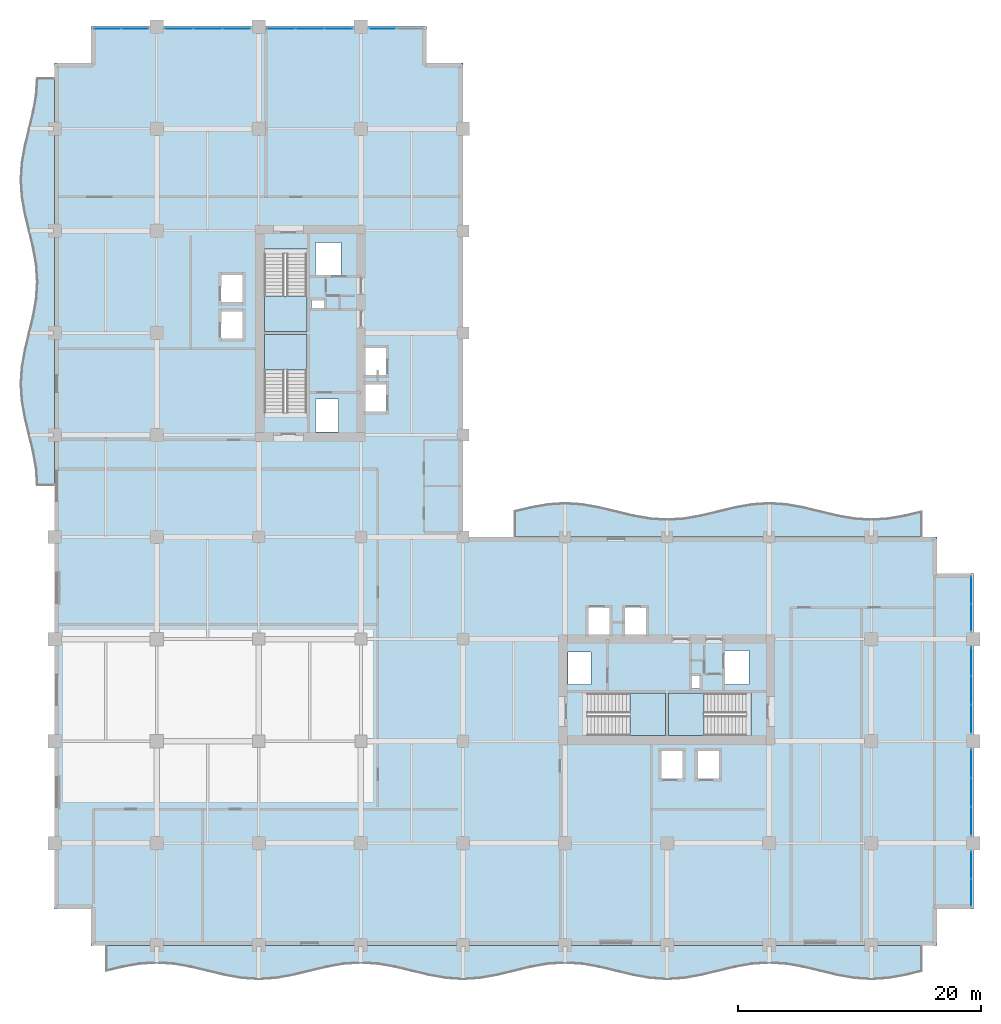
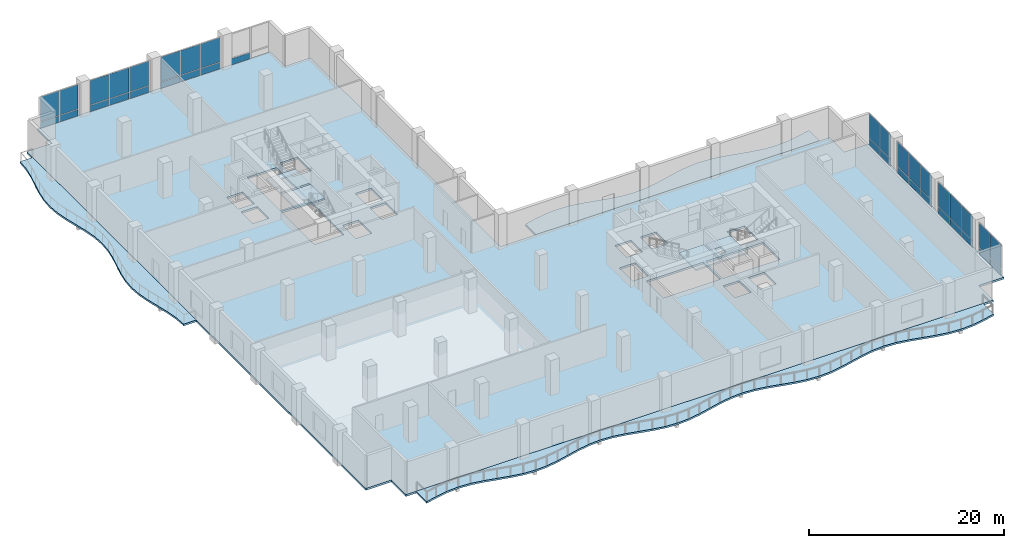
# One storey, part 12 of 25: 37 plates, 8 slabs, 12 elements without a shape of their own.
"""IFC4 building model written with IfcOpenShell, lengths in metres."""

from ifc_helpers import new_model, si_unit, direction, frame, origin, origin_2d, place, context, subcontext, project, spatial, polyline, rectangle, outline, extrude, material, layer, layer_set, type_object, element, aggregate, save


model = new_model("IFC4")

# Units and contexts
model_context = context("Model", 3, precision=1e-05, world=origin(), true_north=direction((0.0, 1.0)))
body_context = subcontext(model_context, "Body", "Model", "MODEL_VIEW")
ifc_project = project(units=[si_unit("LENGTHUNIT", "METRE"), si_unit("AREAUNIT", "SQUARE_METRE"), si_unit("VOLUMEUNIT", "CUBIC_METRE"), si_unit("PLANEANGLEUNIT", "RADIAN"), si_unit("MASSUNIT", "GRAM", prefix="KILO")], contexts=[model_context])

# Site, building, storey
site_placement = place(None, origin())
site = spatial("IfcSite", under=ifc_project, at=site_placement, CompositionType="ELEMENT")
building_placement = place(site_placement, origin())
building = spatial("IfcBuilding", under=site, at=building_placement, Name="Koriwani Terraces Tower", CompositionType="ELEMENT")
storey_placement = place(building_placement, frame((0.0, 0.0, 157.60009765625)))
storey = spatial("IfcBuildingStorey", under=building, at=storey_placement, Name="L38", CompositionType="ELEMENT", Elevation=157.60009765625)

# Curtain wall, plates
ifc_material_1 = material(Name="Anodised Bronze Aluminium", Category="aluminium")
ifc_layer_1 = layer(ifc_material_1, 0.169921875, Name="Anodised Bronze Aluminium")
ifc_layer_set_1 = layer_set([ifc_layer_1], Name="Anodised Bronze Aluminium")
curtain_wall_type = type_object("IfcCurtainWallType", Name="CW_RES_ZONE3", PredefinedType="NOTDEFINED", material=ifc_layer_set_1)
curtain_wall_1_placement = place(storey_placement, origin())
curtain_wall_1 = element("IfcCurtainWall", 1, at=curtain_wall_1_placement, inside=storey, type_object=curtain_wall_type, Name="L38 Unitised Curtain Wall (N_TIP) Bay 1", PredefinedType="NOTDEFINED")
ifc_material_2 = material(Name="Tempered Laminated Low-E Glass", Category="glass")
ifc_layer_2 = layer(ifc_material_2, 0.028076171875, Name="Tempered Laminated Low-E Glass")
ifc_layer_set_2 = layer_set([ifc_layer_2], Name="Tempered Laminated Low-E Glass")
plate_type = type_object("IfcPlateType", Name="CW_PANEL_VISION_28", PredefinedType="CURTAIN_PANEL", material=ifc_layer_set_2)
plate_1_placement = place(storey_placement, frame((4.347412109375, 75.425048828125, 0.06494140625), z_axis=(0.0, 0.0, 1.0), x_axis=(1.0, 0.0, 0.0)))
plate_1 = element("IfcPlate", 2, at=plate_1_placement, type_object=plate_type, Name="CW-Z3 panel 1.1", PredefinedType="CURTAIN_PANEL", context=body_context, shape_type="SweptSolid", body=[
    extrude(rectangle(XDim=2.195068359375, YDim=0.028076171875, at=origin_2d()), origin(), (0.0, 0.0, 1.0), 0.802490234375),
])
plate_2_placement = place(storey_placement, frame((4.347412109375, 75.425048828125, 0.9326171875), z_axis=(0.0, 0.0, 1.0), x_axis=(1.0, 0.0, 0.0)))
plate_2 = element("IfcPlate", 3, at=plate_2_placement, type_object=plate_type, Name="CW-Z3 panel 1.2", PredefinedType="CURTAIN_PANEL", context=body_context, shape_type="SweptSolid", body=[
    extrude(rectangle(XDim=2.195068359375, YDim=0.028076171875, at=origin_2d()), origin(), (0.0, 0.0, 1.0), 3.052490234375),
])
plate_3_placement = place(storey_placement, frame((6.617431640625, 75.425048828125, 0.06494140625), z_axis=(0.0, 0.0, 1.0), x_axis=(1.0, 0.0, 0.0)))
plate_3 = element("IfcPlate", 4, at=plate_3_placement, type_object=plate_type, Name="CW-Z3 panel 2.1", PredefinedType="CURTAIN_PANEL", context=body_context, shape_type="SweptSolid", body=[
    extrude(rectangle(XDim=2.195068359375, YDim=0.028076171875, at=origin_2d()), origin(), (0.0, 0.0, 1.0), 0.802490234375),
])
plate_4_placement = place(storey_placement, frame((6.617431640625, 75.425048828125, 0.9326171875), z_axis=(0.0, 0.0, 1.0), x_axis=(1.0, 0.0, 0.0)))
plate_4 = element("IfcPlate", 5, at=plate_4_placement, type_object=plate_type, Name="CW-Z3 panel 2.2", PredefinedType="CURTAIN_PANEL", context=body_context, shape_type="SweptSolid", body=[
    extrude(rectangle(XDim=2.195068359375, YDim=0.028076171875, at=origin_2d()), origin(), (0.0, 0.0, 1.0), 3.052490234375),
])
aggregate(curtain_wall_1, [plate_1, plate_2, plate_3, plate_4])

curtain_wall_2_placement = place(storey_placement, origin())
curtain_wall_2 = element("IfcCurtainWall", 6, at=curtain_wall_2_placement, inside=storey, type_object=curtain_wall_type, Name="L38 Unitised Curtain Wall (N_TIP) Bay 2", PredefinedType="NOTDEFINED")
plate_5_placement = place(storey_placement, frame((10.225341796875, 75.425048828125, 0.06494140625), z_axis=(0.0, 0.0, 1.0), x_axis=(1.0, 0.0, 0.0)))
plate_5 = element("IfcPlate", 7, at=plate_5_placement, type_object=plate_type, Name="CW-Z3 panel 1.1", PredefinedType="CURTAIN_PANEL", context=body_context, shape_type="SweptSolid", body=[
    extrude(rectangle(XDim=2.28076171875, YDim=0.028076171875, at=origin_2d()), origin(), (0.0, 0.0, 1.0), 0.802490234375),
])
plate_6_placement = place(storey_placement, frame((10.225341796875, 75.425048828125, 0.9326171875), z_axis=(0.0, 0.0, 1.0), x_axis=(1.0, 0.0, 0.0)))
plate_6 = element("IfcPlate", 8, at=plate_6_placement, type_object=plate_type, Name="CW-Z3 panel 1.2", PredefinedType="CURTAIN_PANEL", context=body_context, shape_type="SweptSolid", body=[
    extrude(rectangle(XDim=2.28076171875, YDim=0.028076171875, at=origin_2d()), origin(), (0.0, 0.0, 1.0), 3.052490234375),
])
plate_7_placement = place(storey_placement, frame((12.60009765625, 75.425048828125, 0.06494140625), z_axis=(0.0, 0.0, 1.0), x_axis=(1.0, 0.0, 0.0)))
plate_7 = element("IfcPlate", 9, at=plate_7_placement, type_object=plate_type, Name="CW-Z3 panel 2.1", PredefinedType="CURTAIN_PANEL", context=body_context, shape_type="SweptSolid", body=[
    extrude(rectangle(XDim=2.318359375, YDim=0.028076171875, at=origin_2d()), origin(), (0.0, 0.0, 1.0), 0.802490234375),
])
plate_8_placement = place(storey_placement, frame((12.60009765625, 75.425048828125, 0.9326171875), z_axis=(0.0, 0.0, 1.0), x_axis=(1.0, 0.0, 0.0)))
plate_8 = element("IfcPlate", 10, at=plate_8_placement, type_object=plate_type, Name="CW-Z3 panel 2.2", PredefinedType="CURTAIN_PANEL", context=body_context, shape_type="SweptSolid", body=[
    extrude(rectangle(XDim=2.318359375, YDim=0.028076171875, at=origin_2d()), origin(), (0.0, 0.0, 1.0), 3.052490234375),
])
plate_9_placement = place(storey_placement, frame((14.974609375, 75.425048828125, 0.06494140625), z_axis=(0.0, 0.0, 1.0), x_axis=(1.0, 0.0, 0.0)))
plate_9 = element("IfcPlate", 11, at=plate_9_placement, type_object=plate_type, Name="CW-Z3 panel 3.1", PredefinedType="CURTAIN_PANEL", context=body_context, shape_type="SweptSolid", body=[
    extrude(rectangle(XDim=2.28076171875, YDim=0.028076171875, at=origin_2d()), origin(), (0.0, 0.0, 1.0), 0.802490234375),
])
plate_10_placement = place(storey_placement, frame((14.974609375, 75.425048828125, 0.9326171875), z_axis=(0.0, 0.0, 1.0), x_axis=(1.0, 0.0, 0.0)))
plate_10 = element("IfcPlate", 12, at=plate_10_placement, type_object=plate_type, Name="CW-Z3 panel 3.2", PredefinedType="CURTAIN_PANEL", context=body_context, shape_type="SweptSolid", body=[
    extrude(rectangle(XDim=2.28076171875, YDim=0.028076171875, at=origin_2d()), origin(), (0.0, 0.0, 1.0), 3.052490234375),
])
aggregate(curtain_wall_2, [plate_5, plate_6, plate_7, plate_8, plate_9, plate_10])

curtain_wall_3_placement = place(storey_placement, origin())
curtain_wall_3 = element("IfcCurtainWall", 13, at=curtain_wall_3_placement, inside=storey, type_object=curtain_wall_type, Name="L38 Unitised Curtain Wall (N_TIP) Bay 3", PredefinedType="NOTDEFINED")
plate_11_placement = place(storey_placement, frame((18.62548828125, 75.425048828125, 0.06494140625), z_axis=(0.0, 0.0, 1.0), x_axis=(1.0, 0.0, 0.0)))
plate_11 = element("IfcPlate", 14, at=plate_11_placement, type_object=plate_type, Name="CW-Z3 panel 1.1", PredefinedType="CURTAIN_PANEL", context=body_context, shape_type="SweptSolid", body=[
    extrude(rectangle(XDim=2.28076171875, YDim=0.028076171875, at=origin_2d()), origin(), (0.0, 0.0, 1.0), 0.802490234375),
])
plate_12_placement = place(storey_placement, frame((18.62548828125, 75.425048828125, 0.9326171875), z_axis=(0.0, 0.0, 1.0), x_axis=(1.0, 0.0, 0.0)))
plate_12 = element("IfcPlate", 15, at=plate_12_placement, type_object=plate_type, Name="CW-Z3 panel 1.2", PredefinedType="CURTAIN_PANEL", context=body_context, shape_type="SweptSolid", body=[
    extrude(rectangle(XDim=2.28076171875, YDim=0.028076171875, at=origin_2d()), origin(), (0.0, 0.0, 1.0), 3.052490234375),
])
plate_13_placement = place(storey_placement, frame((21.0, 75.425048828125, 0.06494140625), z_axis=(0.0, 0.0, 1.0), x_axis=(1.0, 0.0, 0.0)))
plate_13 = element("IfcPlate", 16, at=plate_13_placement, type_object=plate_type, Name="CW-Z3 panel 2.1", PredefinedType="CURTAIN_PANEL", context=body_context, shape_type="SweptSolid", body=[
    extrude(rectangle(XDim=2.318359375, YDim=0.028076171875, at=origin_2d()), origin(), (0.0, 0.0, 1.0), 0.802490234375),
])
plate_14_placement = place(storey_placement, frame((21.0, 75.425048828125, 0.9326171875), z_axis=(0.0, 0.0, 1.0), x_axis=(1.0, 0.0, 0.0)))
plate_14 = element("IfcPlate", 17, at=plate_14_placement, type_object=plate_type, Name="CW-Z3 panel 2.2", PredefinedType="CURTAIN_PANEL", context=body_context, shape_type="SweptSolid", body=[
    extrude(rectangle(XDim=2.318359375, YDim=0.028076171875, at=origin_2d()), origin(), (0.0, 0.0, 1.0), 3.052490234375),
])
plate_15_placement = place(storey_placement, frame((23.37451171875, 75.425048828125, 0.06494140625), z_axis=(0.0, 0.0, 1.0), x_axis=(1.0, 0.0, 0.0)))
plate_15 = element("IfcPlate", 18, at=plate_15_placement, type_object=plate_type, Name="CW-Z3 panel 3.1", PredefinedType="CURTAIN_PANEL", context=body_context, shape_type="SweptSolid", body=[
    extrude(rectangle(XDim=2.28076171875, YDim=0.028076171875, at=origin_2d()), origin(), (0.0, 0.0, 1.0), 0.802490234375),
])
plate_16_placement = place(storey_placement, frame((23.37451171875, 75.425048828125, 0.9326171875), z_axis=(0.0, 0.0, 1.0), x_axis=(1.0, 0.0, 0.0)))
plate_16 = element("IfcPlate", 19, at=plate_16_placement, type_object=plate_type, Name="CW-Z3 panel 3.2", PredefinedType="CURTAIN_PANEL", context=body_context, shape_type="SweptSolid", body=[
    extrude(rectangle(XDim=2.28076171875, YDim=0.028076171875, at=origin_2d()), origin(), (0.0, 0.0, 1.0), 3.052490234375),
])
aggregate(curtain_wall_3, [plate_11, plate_12, plate_13, plate_14, plate_15, plate_16])

# Curtain wall, plate
curtain_wall_4_placement = place(storey_placement, origin())
curtain_wall_4 = element("IfcCurtainWall", 20, at=curtain_wall_4_placement, inside=storey, type_object=curtain_wall_type, Name="L38 Unitised Curtain Wall (N_TIP) Bay 4", PredefinedType="NOTDEFINED")
plate_17_placement = place(storey_placement, frame((26.982421875, 75.425048828125, 0.06494140625), z_axis=(0.0, 0.0, 1.0), x_axis=(1.0, 0.0, 0.0)))
plate_17 = element("IfcPlate", 21, at=plate_17_placement, type_object=plate_type, Name="CW-Z3 panel 1.1", PredefinedType="CURTAIN_PANEL", context=body_context, shape_type="SweptSolid", body=[
    extrude(rectangle(XDim=2.195068359375, YDim=0.028076171875, at=origin_2d()), origin(), (0.0, 0.0, 1.0), 0.802490234375),
])
aggregate(curtain_wall_4, [plate_17])

# Curtain wall, plates
curtain_wall_5_placement = place(storey_placement, origin())
curtain_wall_5 = element("IfcCurtainWall", 22, at=curtain_wall_5_placement, inside=storey, type_object=curtain_wall_type, Name="L38 Unitised Curtain Wall (E_TIP) Bay 1", PredefinedType="NOTDEFINED")
plate_18_placement = place(storey_placement, frame((75.425048828125, 29.25244140625, 0.06494140625), z_axis=(0.0, 0.0, 1.0), x_axis=(0.0, -1.0, 0.0)))
plate_18 = element("IfcPlate", 23, at=plate_18_placement, type_object=plate_type, Name="CW-Z3 panel 1.1", PredefinedType="CURTAIN_PANEL", context=body_context, shape_type="SweptSolid", body=[
    extrude(rectangle(XDim=2.195068359375, YDim=0.028076171875, at=origin_2d()), origin(), (0.0, 0.0, 1.0), 0.802490234375),
])
plate_19_placement = place(storey_placement, frame((75.425048828125, 29.25244140625, 0.9326171875), z_axis=(0.0, 0.0, 1.0), x_axis=(0.0, -1.0, 0.0)))
plate_19 = element("IfcPlate", 24, at=plate_19_placement, type_object=plate_type, Name="CW-Z3 panel 1.2", PredefinedType="CURTAIN_PANEL", context=body_context, shape_type="SweptSolid", body=[
    extrude(rectangle(XDim=2.195068359375, YDim=0.028076171875, at=origin_2d()), origin(), (0.0, 0.0, 1.0), 3.052490234375),
])
plate_20_placement = place(storey_placement, frame((75.425048828125, 26.982421875, 0.06494140625), z_axis=(0.0, 0.0, 1.0), x_axis=(0.0, -1.0, 0.0)))
plate_20 = element("IfcPlate", 25, at=plate_20_placement, type_object=plate_type, Name="CW-Z3 panel 2.1", PredefinedType="CURTAIN_PANEL", context=body_context, shape_type="SweptSolid", body=[
    extrude(rectangle(XDim=2.195068359375, YDim=0.028076171875, at=origin_2d()), origin(), (0.0, 0.0, 1.0), 0.802490234375),
])
plate_21_placement = place(storey_placement, frame((75.425048828125, 26.982421875, 0.9326171875), z_axis=(0.0, 0.0, 1.0), x_axis=(0.0, -1.0, 0.0)))
plate_21 = element("IfcPlate", 26, at=plate_21_placement, type_object=plate_type, Name="CW-Z3 panel 2.2", PredefinedType="CURTAIN_PANEL", context=body_context, shape_type="SweptSolid", body=[
    extrude(rectangle(XDim=2.195068359375, YDim=0.028076171875, at=origin_2d()), origin(), (0.0, 0.0, 1.0), 3.052490234375),
])
aggregate(curtain_wall_5, [plate_18, plate_19, plate_20, plate_21])

curtain_wall_6_placement = place(storey_placement, origin())
curtain_wall_6 = element("IfcCurtainWall", 27, at=curtain_wall_6_placement, inside=storey, type_object=curtain_wall_type, Name="L38 Unitised Curtain Wall (E_TIP) Bay 2", PredefinedType="NOTDEFINED")
plate_22_placement = place(storey_placement, frame((75.425048828125, 23.37451171875, 0.06494140625), z_axis=(0.0, 0.0, 1.0), x_axis=(0.0, -1.0, 0.0)))
plate_22 = element("IfcPlate", 28, at=plate_22_placement, type_object=plate_type, Name="CW-Z3 panel 1.1", PredefinedType="CURTAIN_PANEL", context=body_context, shape_type="SweptSolid", body=[
    extrude(rectangle(XDim=2.28076171875, YDim=0.028076171875, at=origin_2d()), origin(), (0.0, 0.0, 1.0), 0.802490234375),
])
plate_23_placement = place(storey_placement, frame((75.425048828125, 23.37451171875, 0.9326171875), z_axis=(0.0, 0.0, 1.0), x_axis=(0.0, -1.0, 0.0)))
plate_23 = element("IfcPlate", 29, at=plate_23_placement, type_object=plate_type, Name="CW-Z3 panel 1.2", PredefinedType="CURTAIN_PANEL", context=body_context, shape_type="SweptSolid", body=[
    extrude(rectangle(XDim=2.28076171875, YDim=0.028076171875, at=origin_2d()), origin(), (0.0, 0.0, 1.0), 3.052490234375),
])
plate_24_placement = place(storey_placement, frame((75.425048828125, 21.0, 0.06494140625), z_axis=(0.0, 0.0, 1.0), x_axis=(0.0, -1.0, 0.0)))
plate_24 = element("IfcPlate", 30, at=plate_24_placement, type_object=plate_type, Name="CW-Z3 panel 2.1", PredefinedType="CURTAIN_PANEL", context=body_context, shape_type="SweptSolid", body=[
    extrude(rectangle(XDim=2.318359375, YDim=0.028076171875, at=origin_2d()), origin(), (0.0, 0.0, 1.0), 0.802490234375),
])
plate_25_placement = place(storey_placement, frame((75.425048828125, 21.0, 0.9326171875), z_axis=(0.0, 0.0, 1.0), x_axis=(0.0, -1.0, 0.0)))
plate_25 = element("IfcPlate", 31, at=plate_25_placement, type_object=plate_type, Name="CW-Z3 panel 2.2", PredefinedType="CURTAIN_PANEL", context=body_context, shape_type="SweptSolid", body=[
    extrude(rectangle(XDim=2.318359375, YDim=0.028076171875, at=origin_2d()), origin(), (0.0, 0.0, 1.0), 3.052490234375),
])
plate_26_placement = place(storey_placement, frame((75.425048828125, 18.62548828125, 0.06494140625), z_axis=(0.0, 0.0, 1.0), x_axis=(0.0, -1.0, 0.0)))
plate_26 = element("IfcPlate", 32, at=plate_26_placement, type_object=plate_type, Name="CW-Z3 panel 3.1", PredefinedType="CURTAIN_PANEL", context=body_context, shape_type="SweptSolid", body=[
    extrude(rectangle(XDim=2.28076171875, YDim=0.028076171875, at=origin_2d()), origin(), (0.0, 0.0, 1.0), 0.802490234375),
])
plate_27_placement = place(storey_placement, frame((75.425048828125, 18.62548828125, 0.9326171875), z_axis=(0.0, 0.0, 1.0), x_axis=(0.0, -1.0, 0.0)))
plate_27 = element("IfcPlate", 33, at=plate_27_placement, type_object=plate_type, Name="CW-Z3 panel 3.2", PredefinedType="CURTAIN_PANEL", context=body_context, shape_type="SweptSolid", body=[
    extrude(rectangle(XDim=2.28076171875, YDim=0.028076171875, at=origin_2d()), origin(), (0.0, 0.0, 1.0), 3.052490234375),
])
aggregate(curtain_wall_6, [plate_22, plate_23, plate_24, plate_25, plate_26, plate_27])

curtain_wall_7_placement = place(storey_placement, origin())
curtain_wall_7 = element("IfcCurtainWall", 34, at=curtain_wall_7_placement, inside=storey, type_object=curtain_wall_type, Name="L38 Unitised Curtain Wall (E_TIP) Bay 3", PredefinedType="NOTDEFINED")
plate_28_placement = place(storey_placement, frame((75.425048828125, 14.974609375, 0.06494140625), z_axis=(0.0, 0.0, 1.0), x_axis=(0.0, -1.0, 0.0)))
plate_28 = element("IfcPlate", 35, at=plate_28_placement, type_object=plate_type, Name="CW-Z3 panel 1.1", PredefinedType="CURTAIN_PANEL", context=body_context, shape_type="SweptSolid", body=[
    extrude(rectangle(XDim=2.28076171875, YDim=0.028076171875, at=origin_2d()), origin(), (0.0, 0.0, 1.0), 0.802490234375),
])
plate_29_placement = place(storey_placement, frame((75.425048828125, 14.974609375, 0.9326171875), z_axis=(0.0, 0.0, 1.0), x_axis=(0.0, -1.0, 0.0)))
plate_29 = element("IfcPlate", 36, at=plate_29_placement, type_object=plate_type, Name="CW-Z3 panel 1.2", PredefinedType="CURTAIN_PANEL", context=body_context, shape_type="SweptSolid", body=[
    extrude(rectangle(XDim=2.28076171875, YDim=0.028076171875, at=origin_2d()), origin(), (0.0, 0.0, 1.0), 3.052490234375),
])
plate_30_placement = place(storey_placement, frame((75.425048828125, 12.60009765625, 0.06494140625), z_axis=(0.0, 0.0, 1.0), x_axis=(0.0, -1.0, 0.0)))
plate_30 = element("IfcPlate", 37, at=plate_30_placement, type_object=plate_type, Name="CW-Z3 panel 2.1", PredefinedType="CURTAIN_PANEL", context=body_context, shape_type="SweptSolid", body=[
    extrude(rectangle(XDim=2.318359375, YDim=0.028076171875, at=origin_2d()), origin(), (0.0, 0.0, 1.0), 0.802490234375),
])
plate_31_placement = place(storey_placement, frame((75.425048828125, 12.60009765625, 0.9326171875), z_axis=(0.0, 0.0, 1.0), x_axis=(0.0, -1.0, 0.0)))
plate_31 = element("IfcPlate", 38, at=plate_31_placement, type_object=plate_type, Name="CW-Z3 panel 2.2", PredefinedType="CURTAIN_PANEL", context=body_context, shape_type="SweptSolid", body=[
    extrude(rectangle(XDim=2.318359375, YDim=0.028076171875, at=origin_2d()), origin(), (0.0, 0.0, 1.0), 3.052490234375),
])
plate_32_placement = place(storey_placement, frame((75.425048828125, 10.225341796875, 0.06494140625), z_axis=(0.0, 0.0, 1.0), x_axis=(0.0, -1.0, 0.0)))
plate_32 = element("IfcPlate", 39, at=plate_32_placement, type_object=plate_type, Name="CW-Z3 panel 3.1", PredefinedType="CURTAIN_PANEL", context=body_context, shape_type="SweptSolid", body=[
    extrude(rectangle(XDim=2.28076171875, YDim=0.028076171875, at=origin_2d()), origin(), (0.0, 0.0, 1.0), 0.802490234375),
])
plate_33_placement = place(storey_placement, frame((75.425048828125, 10.225341796875, 0.9326171875), z_axis=(0.0, 0.0, 1.0), x_axis=(0.0, -1.0, 0.0)))
plate_33 = element("IfcPlate", 40, at=plate_33_placement, type_object=plate_type, Name="CW-Z3 panel 3.2", PredefinedType="CURTAIN_PANEL", context=body_context, shape_type="SweptSolid", body=[
    extrude(rectangle(XDim=2.28076171875, YDim=0.028076171875, at=origin_2d()), origin(), (0.0, 0.0, 1.0), 3.052490234375),
])
aggregate(curtain_wall_7, [plate_28, plate_29, plate_30, plate_31, plate_32, plate_33])

curtain_wall_8_placement = place(storey_placement, origin())
curtain_wall_8 = element("IfcCurtainWall", 41, at=curtain_wall_8_placement, inside=storey, type_object=curtain_wall_type, Name="L38 Unitised Curtain Wall (E_TIP) Bay 4", PredefinedType="NOTDEFINED")
plate_34_placement = place(storey_placement, frame((75.425048828125, 6.617431640625, 0.06494140625), z_axis=(0.0, 0.0, 1.0), x_axis=(0.0, -1.0, 0.0)))
plate_34 = element("IfcPlate", 42, at=plate_34_placement, type_object=plate_type, Name="CW-Z3 panel 1.1", PredefinedType="CURTAIN_PANEL", context=body_context, shape_type="SweptSolid", body=[
    extrude(rectangle(XDim=2.195068359375, YDim=0.028076171875, at=origin_2d()), origin(), (0.0, 0.0, 1.0), 0.802490234375),
])
plate_35_placement = place(storey_placement, frame((75.425048828125, 6.617431640625, 0.9326171875), z_axis=(0.0, 0.0, 1.0), x_axis=(0.0, -1.0, 0.0)))
plate_35 = element("IfcPlate", 43, at=plate_35_placement, type_object=plate_type, Name="CW-Z3 panel 1.2", PredefinedType="CURTAIN_PANEL", context=body_context, shape_type="SweptSolid", body=[
    extrude(rectangle(XDim=2.195068359375, YDim=0.028076171875, at=origin_2d()), origin(), (0.0, 0.0, 1.0), 3.052490234375),
])
plate_36_placement = place(storey_placement, frame((75.425048828125, 4.347412109375, 0.06494140625), z_axis=(0.0, 0.0, 1.0), x_axis=(0.0, -1.0, 0.0)))
plate_36 = element("IfcPlate", 44, at=plate_36_placement, type_object=plate_type, Name="CW-Z3 panel 2.1", PredefinedType="CURTAIN_PANEL", context=body_context, shape_type="SweptSolid", body=[
    extrude(rectangle(XDim=2.195068359375, YDim=0.028076171875, at=origin_2d()), origin(), (0.0, 0.0, 1.0), 0.802490234375),
])
plate_37_placement = place(storey_placement, frame((75.425048828125, 4.347412109375, 0.9326171875), z_axis=(0.0, 0.0, 1.0), x_axis=(0.0, -1.0, 0.0)))
plate_37 = element("IfcPlate", 45, at=plate_37_placement, type_object=plate_type, Name="CW-Z3 panel 2.2", PredefinedType="CURTAIN_PANEL", context=body_context, shape_type="SweptSolid", body=[
    extrude(rectangle(XDim=2.195068359375, YDim=0.028076171875, at=origin_2d()), origin(), (0.0, 0.0, 1.0), 3.052490234375),
])
aggregate(curtain_wall_8, [plate_34, plate_35, plate_36, plate_37])

# Slabs
ifc_material_3 = material(Name="Concrete C40/50", Category="concrete")
ifc_layer_3 = layer(ifc_material_3, 0.219970703125, Name="Concrete C40/50")
ifc_layer_set_3 = layer_set([ifc_layer_3], Name="Concrete C40/50")
slab_type_1 = type_object("IfcSlabType", Name="SLAB_BALCONY_220", PredefinedType="FLOOR", material=ifc_layer_set_3)
slab_1_placement = place(storey_placement, frame((0.0, 0.0, -0.22021484375)))
element("IfcSlab", 46, at=slab_1_placement, inside=storey, type_object=slab_type_1, Name="L38 Quilted Circular-Arc Balcony (S)", PredefinedType="FLOOR", context=body_context, shape_type="SweptSolid", body=[
    extrude(outline(polyline([(4.199951171875, 0.0), (5.60009765625, 0.0), (7.0, 0.0), (8.39990234375, 0.0), (9.800048828125, 0.0), (11.199951171875, 0.0), (12.60009765625, 0.0), (14.0, 0.0), (15.39990234375, 0.0), (16.800048828125, 0.0), (18.199951171875, 0.0), (19.60009765625, 0.0), (21.0, 0.0), (22.39990234375, 0.0), (23.800048828125, 0.0), (25.199951171875, 0.0), (26.60009765625, 0.0), (28.0, 0.0), (29.39990234375, 0.0), (30.800048828125, 0.0), (32.199951171875, 0.0), (33.60009765625, 0.0), (35.0, 0.0), (36.39990234375, 0.0), (37.800048828125, 0.0), (39.199951171875, 0.0), (40.60009765625, 0.0), (42.0, 0.0), (43.39990234375, 0.0), (44.800048828125, 0.0), (46.199951171875, 0.0), (47.60009765625, 0.0), (49.0, 0.0), (50.39990234375, 0.0), (51.800048828125, 0.0), (53.199951171875, 0.0), (54.60009765625, 0.0), (56.0, 0.0), (57.39990234375, 0.0), (58.800048828125, 0.0), (60.199951171875, 0.0), (61.60009765625, 0.0), (63.0, 0.0), (64.39990234375, 0.0), (65.800048828125, 0.0), (67.199951171875, 0.0), (68.60009765625, 0.0), (70.0, 0.0), (71.39990234375, 0.0), (71.39990234375, -2.175048828125), (70.0, -2.512451171875), (68.60009765625, -2.759521484375), (67.199951171875, -2.85009765625), (65.800048828125, -2.759521484375), (64.39990234375, -2.512451171875), (63.0, -2.175048828125), (61.60009765625, -1.83740234375), (60.199951171875, -1.59033203125), (58.800048828125, -1.5), (57.39990234375, -1.59033203125), (56.0, -1.83740234375), (54.60009765625, -2.175048828125), (53.199951171875, -2.512451171875), (51.800048828125, -2.759521484375), (50.39990234375, -2.85009765625), (49.0, -2.759521484375), (47.60009765625, -2.512451171875), (46.199951171875, -2.175048828125), (44.800048828125, -1.83740234375), (43.39990234375, -1.59033203125), (42.0, -1.5), (40.60009765625, -1.59033203125), (39.199951171875, -1.83740234375), (37.800048828125, -2.175048828125), (36.39990234375, -2.512451171875), (35.0, -2.759521484375), (33.60009765625, -2.85009765625), (32.199951171875, -2.759521484375), (30.800048828125, -2.512451171875), (29.39990234375, -2.175048828125), (28.0, -1.83740234375), (26.60009765625, -1.59033203125), (25.199951171875, -1.5), (23.800048828125, -1.59033203125), (22.39990234375, -1.83740234375), (21.0, -2.175048828125), (19.60009765625, -2.512451171875), (18.199951171875, -2.759521484375), (16.800048828125, -2.85009765625), (15.39990234375, -2.759521484375), (14.0, -2.512451171875), (12.60009765625, -2.175048828125), (11.199951171875, -1.83740234375), (9.800048828125, -1.59033203125), (8.39990234375, -1.5), (7.0, -1.59033203125), (5.60009765625, -1.83740234375), (4.199951171875, -2.175048828125), (4.199951171875, 0.0)])), origin(), (0.0, 0.0, 1.0), 0.22021484375),
])
slab_2_placement = place(storey_placement, frame((0.0, 0.0, -0.22021484375)))
element("IfcSlab", 47, at=slab_2_placement, inside=storey, type_object=slab_type_1, Name="L38 Quilted Circular-Arc Balcony (W)", PredefinedType="FLOOR", context=body_context, shape_type="SweptSolid", body=[
    extrude(outline(polyline([(0.0, 37.800048828125), (0.0, 39.199951171875), (0.0, 40.60009765625), (0.0, 42.0), (0.0, 43.39990234375), (0.0, 44.800048828125), (0.0, 46.199951171875), (0.0, 47.60009765625), (0.0, 49.0), (0.0, 50.39990234375), (0.0, 51.800048828125), (0.0, 53.199951171875), (0.0, 54.60009765625), (0.0, 56.0), (0.0, 57.39990234375), (0.0, 58.800048828125), (0.0, 60.199951171875), (0.0, 61.60009765625), (0.0, 63.0), (0.0, 64.39990234375), (0.0, 65.800048828125), (0.0, 67.199951171875), (0.0, 68.60009765625), (0.0, 70.0), (0.0, 71.39990234375), (-1.5, 71.39990234375), (-1.59033203125, 70.0), (-1.83740234375, 68.60009765625), (-2.175048828125, 67.199951171875), (-2.512451171875, 65.800048828125), (-2.759521484375, 64.39990234375), (-2.85009765625, 63.0), (-2.759521484375, 61.60009765625), (-2.512451171875, 60.199951171875), (-2.175048828125, 58.800048828125), (-1.83740234375, 57.39990234375), (-1.59033203125, 56.0), (-1.5, 54.60009765625), (-1.59033203125, 53.199951171875), (-1.83740234375, 51.800048828125), (-2.175048828125, 50.39990234375), (-2.512451171875, 49.0), (-2.759521484375, 47.60009765625), (-2.85009765625, 46.199951171875), (-2.759521484375, 44.800048828125), (-2.512451171875, 43.39990234375), (-2.175048828125, 42.0), (-1.83740234375, 40.60009765625), (-1.59033203125, 39.199951171875), (-1.5, 37.800048828125), (0.0, 37.800048828125)])), origin(), (0.0, 0.0, 1.0), 0.22021484375),
])
slab_3_placement = place(storey_placement, frame((0.0, 0.0, -0.22021484375)))
element("IfcSlab", 48, at=slab_3_placement, inside=storey, type_object=slab_type_1, Name="L38 Quilted Circular-Arc Balcony (NE)", PredefinedType="FLOOR", context=body_context, shape_type="SweptSolid", body=[
    extrude(outline(polyline([(71.39990234375, 33.60009765625), (70.0, 33.60009765625), (68.60009765625, 33.60009765625), (67.199951171875, 33.60009765625), (65.800048828125, 33.60009765625), (64.39990234375, 33.60009765625), (63.0, 33.60009765625), (61.60009765625, 33.60009765625), (60.199951171875, 33.60009765625), (58.800048828125, 33.60009765625), (57.39990234375, 33.60009765625), (56.0, 33.60009765625), (54.60009765625, 33.60009765625), (53.199951171875, 33.60009765625), (51.800048828125, 33.60009765625), (50.39990234375, 33.60009765625), (49.0, 33.60009765625), (47.60009765625, 33.60009765625), (46.199951171875, 33.60009765625), (44.800048828125, 33.60009765625), (43.39990234375, 33.60009765625), (42.0, 33.60009765625), (40.60009765625, 33.60009765625), (39.199951171875, 33.60009765625), (37.800048828125, 33.60009765625), (37.800048828125, 35.77490234375), (39.199951171875, 36.112548828125), (40.60009765625, 36.359619140625), (42.0, 36.449951171875), (43.39990234375, 36.359619140625), (44.800048828125, 36.112548828125), (46.199951171875, 35.77490234375), (47.60009765625, 35.4375), (49.0, 35.1904296875), (50.39990234375, 35.10009765625), (51.800048828125, 35.1904296875), (53.199951171875, 35.4375), (54.60009765625, 35.77490234375), (56.0, 36.112548828125), (57.39990234375, 36.359619140625), (58.800048828125, 36.449951171875), (60.199951171875, 36.359619140625), (61.60009765625, 36.112548828125), (63.0, 35.77490234375), (64.39990234375, 35.4375), (65.800048828125, 35.1904296875), (67.199951171875, 35.10009765625), (68.60009765625, 35.1904296875), (70.0, 35.4375), (71.39990234375, 35.77490234375), (71.39990234375, 33.60009765625)])), origin(), (0.0, 0.0, 1.0), 0.22021484375),
])

# Stair, slab
stair_type = type_object("IfcStairType", Name="STAIR_CORE_DOGLEG_1650", PredefinedType="TWO_STRAIGHT_RUN_STAIR", material=ifc_material_3)
stair_1_placement = place(storey_placement, origin())
stair_1 = element("IfcStair", 49, at=stair_1_placement, inside=storey, type_object=stair_type, Name="L38 West Core Exit Stair 1", PredefinedType="HALF_TURN_STAIR")
ifc_layer_4 = layer(ifc_material_3, 0.199951171875, Name="Concrete C40/50")
ifc_layer_set_4 = layer_set([ifc_layer_4], Name="Concrete C40/50")
slab_type_2 = type_object("IfcSlabType", Name="SLAB_STAIR_LANDING_200", PredefinedType="LANDING", material=ifc_layer_set_4)
slab_4_placement = place(storey_placement, frame((0.0, 0.0, 2.0)))
slab_4 = element("IfcSlab", 50, at=slab_4_placement, type_object=slab_type_2, Name="ST-W1 landing 1", PredefinedType="LANDING", context=body_context, shape_type="SweptSolid", body=[
    extrude(outline(polyline([(20.75, 47.330078125), (20.75, 50.25), (17.25, 50.25), (17.25, 47.330078125), (20.75, 47.330078125)])), origin(), (0.0, 0.0, 1.0), 0.199951171875),
])
aggregate(stair_1, [slab_4])

stair_2_placement = place(storey_placement, origin())
stair_2 = element("IfcStair", 51, at=stair_2_placement, inside=storey, type_object=stair_type, Name="L38 West Core Exit Stair 2", PredefinedType="HALF_TURN_STAIR")
slab_5_placement = place(storey_placement, frame((0.0, 0.0, 2.0)))
slab_5 = element("IfcSlab", 52, at=slab_5_placement, type_object=slab_type_2, Name="ST-W2 landing 1", PredefinedType="LANDING", context=body_context, shape_type="SweptSolid", body=[
    extrude(outline(polyline([(17.25, 53.419921875), (17.25, 50.5), (20.75, 50.5), (20.75, 53.419921875), (17.25, 53.419921875)])), origin(), (0.0, 0.0, 1.0), 0.199951171875),
])
aggregate(stair_2, [slab_5])

stair_3_placement = place(storey_placement, origin())
stair_3 = element("IfcStair", 53, at=stair_3_placement, inside=storey, type_object=stair_type, Name="L38 East Core Exit Stair 1", PredefinedType="HALF_TURN_STAIR")
slab_6_placement = place(storey_placement, frame((0.0, 0.0, 2.0)))
slab_6 = element("IfcSlab", 54, at=slab_6_placement, type_object=slab_type_2, Name="ST-E1 landing 1", PredefinedType="LANDING", context=body_context, shape_type="SweptSolid", body=[
    extrude(outline(polyline([(47.330078125, 17.25), (50.25, 17.25), (50.25, 20.75), (47.330078125, 20.75), (47.330078125, 17.25)])), origin(), (0.0, 0.0, 1.0), 0.199951171875),
])
aggregate(stair_3, [slab_6])

stair_4_placement = place(storey_placement, origin())
stair_4 = element("IfcStair", 55, at=stair_4_placement, inside=storey, type_object=stair_type, Name="L38 East Core Exit Stair 2", PredefinedType="HALF_TURN_STAIR")
slab_7_placement = place(storey_placement, frame((0.0, 0.0, 2.0)))
slab_7 = element("IfcSlab", 56, at=slab_7_placement, type_object=slab_type_2, Name="ST-E2 landing 1", PredefinedType="LANDING", context=body_context, shape_type="SweptSolid", body=[
    extrude(outline(polyline([(53.419921875, 20.75), (50.5, 20.75), (50.5, 17.25), (53.419921875, 17.25), (53.419921875, 20.75)])), origin(), (0.0, 0.0, 1.0), 0.199951171875),
])
aggregate(stair_4, [slab_7])

# Slab
ifc_layer_5 = layer(ifc_material_3, 0.25, Name="Concrete C40/50")
ifc_layer_set_5 = layer_set([ifc_layer_5], Name="Concrete C40/50")
slab_type_3 = type_object("IfcSlabType", Name="SLAB_TOWER_TYP_250", PredefinedType="FLOOR", material=ifc_layer_set_5)
slab_8_placement = place(storey_placement, frame((0.0, 0.0, -0.25)))
element("IfcSlab", 57, at=slab_8_placement, inside=storey, type_object=slab_type_3, Name="L38 Structural Floor Slab", PredefinedType="FLOOR", context=body_context, shape_type="SweptSolid", body=[
    extrude(outline(polyline([(3.0, 0.0), (72.60009765625, 0.0), (72.60009765625, 3.0), (75.60009765625, 3.0), (75.60009765625, 30.60009765625), (72.60009765625, 30.60009765625), (72.60009765625, 33.60009765625), (33.60009765625, 33.60009765625), (33.60009765625, 72.60009765625), (30.60009765625, 72.60009765625), (30.60009765625, 75.60009765625), (3.0, 75.60009765625), (3.0, 72.60009765625), (0.0, 72.60009765625), (0.0, 3.0), (3.0, 3.0), (3.0, 0.0)]), holes=[polyline([(17.25, 43.4599609375), (20.75, 43.4599609375), (20.75, 50.25), (17.25, 50.25), (17.25, 43.4599609375)]), polyline([(17.25, 50.5), (20.75, 50.5), (20.75, 57.2900390625), (17.25, 57.2900390625), (17.25, 50.5)]), polyline([(43.4599609375, 17.25), (50.25, 17.25), (50.25, 20.75), (43.4599609375, 20.75), (43.4599609375, 17.25)]), polyline([(50.5, 17.25), (57.2900390625, 17.25), (57.2900390625, 20.75), (50.5, 20.75), (50.5, 17.25)]), polyline([(13.64990234375, 49.85009765625), (15.550048828125, 49.85009765625), (15.550048828125, 52.25), (13.64990234375, 52.25), (13.64990234375, 49.85009765625)]), polyline([(13.64990234375, 52.85009765625), (15.550048828125, 52.85009765625), (15.550048828125, 55.25), (13.64990234375, 55.25), (13.64990234375, 52.85009765625)]), polyline([(49.85009765625, 13.64990234375), (51.75, 13.64990234375), (51.75, 16.050048828125), (49.85009765625, 16.050048828125), (49.85009765625, 13.64990234375)]), polyline([(52.85009765625, 13.64990234375), (54.75, 13.64990234375), (54.75, 16.050048828125), (52.85009765625, 16.050048828125), (52.85009765625, 13.64990234375)]), polyline([(25.449951171875, 43.85009765625), (27.35009765625, 43.85009765625), (27.35009765625, 46.25), (25.449951171875, 46.25), (25.449951171875, 43.85009765625)]), polyline([(25.449951171875, 46.85009765625), (27.35009765625, 46.85009765625), (27.35009765625, 49.25), (25.449951171875, 49.25), (25.449951171875, 46.85009765625)]), polyline([(43.85009765625, 25.449951171875), (45.75, 25.449951171875), (45.75, 27.85009765625), (43.85009765625, 27.85009765625), (43.85009765625, 25.449951171875)]), polyline([(46.85009765625, 25.449951171875), (48.75, 25.449951171875), (48.75, 27.85009765625), (46.85009765625, 27.85009765625), (46.85009765625, 25.449951171875)]), polyline([(21.449951171875, 55.050048828125), (23.550048828125, 55.050048828125), (23.550048828125, 57.85009765625), (21.449951171875, 57.85009765625), (21.449951171875, 55.050048828125)]), polyline([(55.050048828125, 21.449951171875), (57.14990234375, 21.449951171875), (57.14990234375, 24.25), (55.050048828125, 24.25), (55.050048828125, 21.449951171875)]), polyline([(21.449951171875, 42.25), (23.35009765625, 42.25), (23.35009765625, 44.949951171875), (21.449951171875, 44.949951171875), (21.449951171875, 42.25)]), polyline([(42.25, 21.449951171875), (44.14990234375, 21.449951171875), (44.14990234375, 24.14990234375), (42.25, 24.14990234375), (42.25, 21.449951171875)]), polyline([(21.14990234375, 52.419921875), (22.219970703125, 52.419921875), (22.219970703125, 53.179931640625), (21.14990234375, 53.179931640625), (21.14990234375, 52.419921875)]), polyline([(52.419921875, 21.14990234375), (53.179931640625, 21.14990234375), (53.179931640625, 22.219970703125), (52.419921875, 22.219970703125), (52.419921875, 21.14990234375)])]), origin(), (0.0, 0.0, 1.0), 0.25),
])

save(model, "model.ifc")
